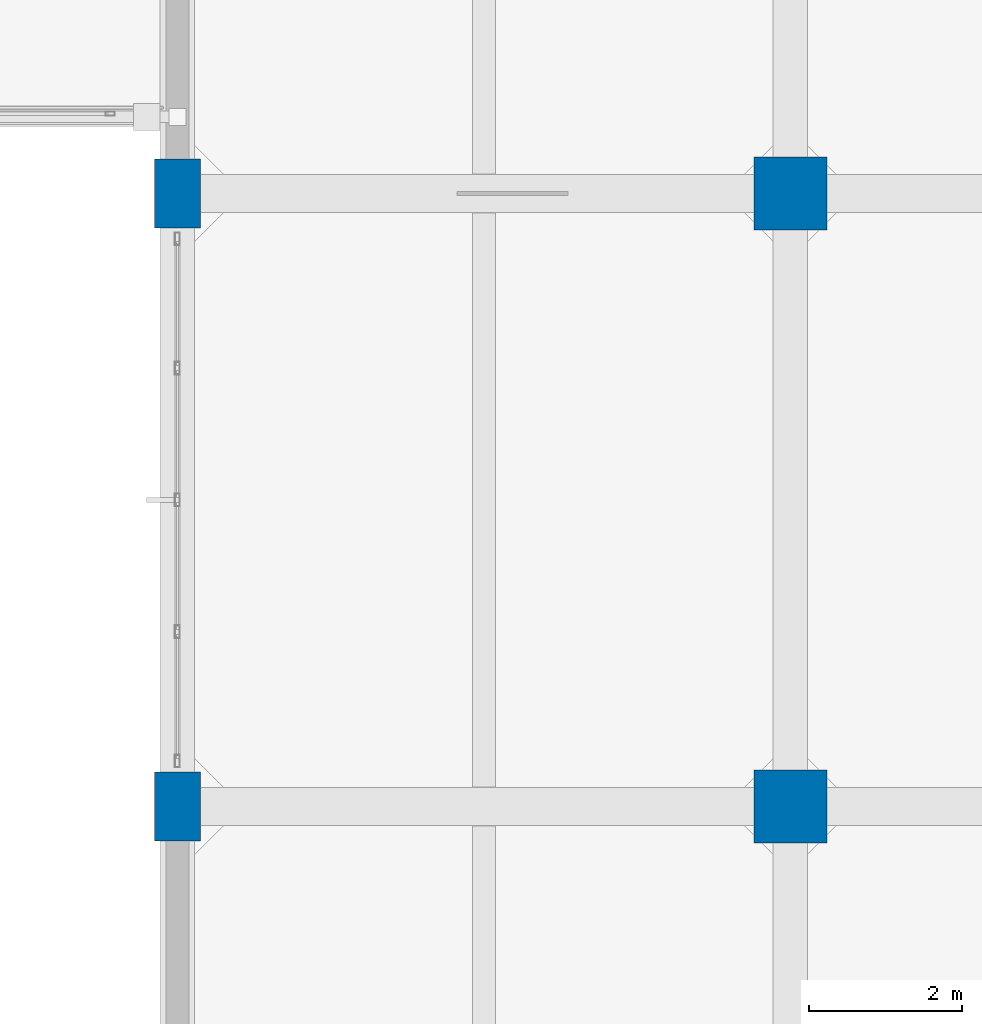
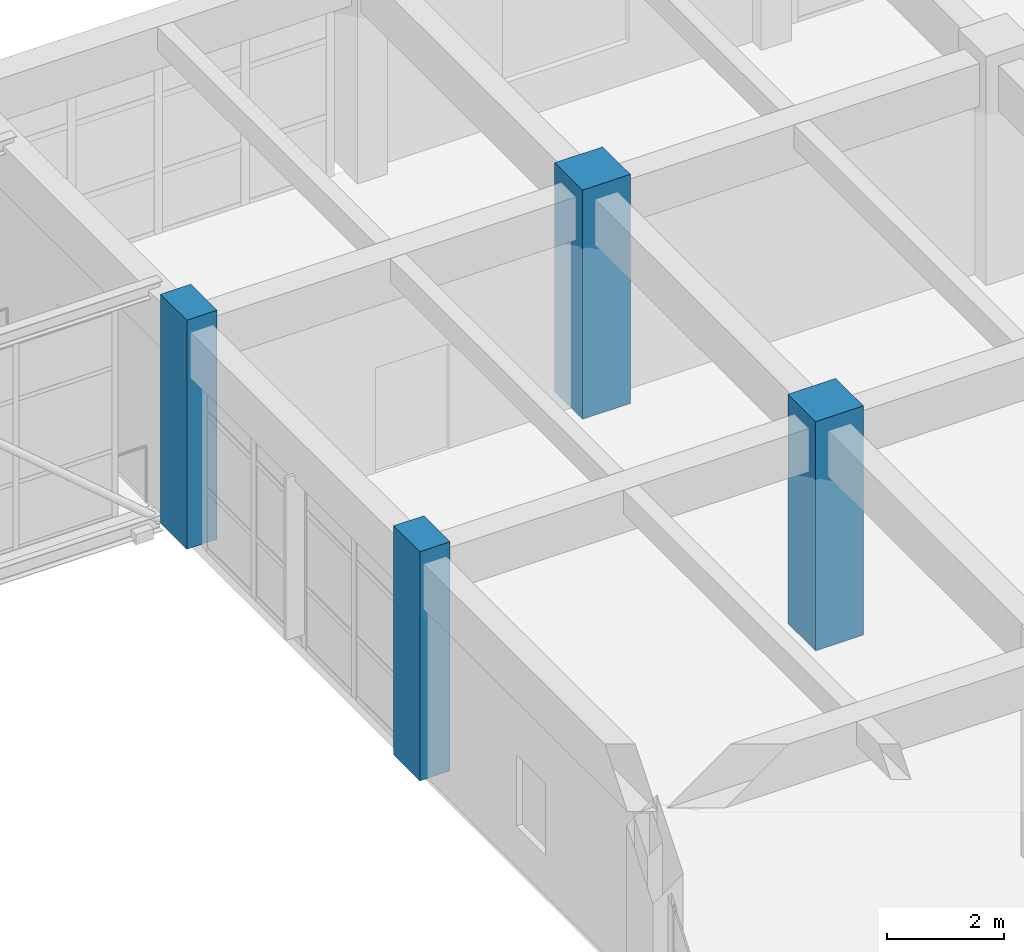
# One storey, part 8 of 248: 4 columns.
"""IFC4 building model written with IfcOpenShell, lengths in metres."""

from ifc_helpers import new_model, si_unit, direction, frame, origin, origin_2d, place, context, subcontext, project, spatial, rectangle, extrude, material, material_profile, profile_set, type_object, element, save


model = new_model("IFC4")

# Units and contexts
model_context = context("Model", 3, precision=1e-05, world=origin(), true_north=direction((0.0, 1.0)))
body_context = subcontext(model_context, "Body", "Model", "MODEL_VIEW")
ifc_project = project(units=[si_unit("LENGTHUNIT", "METRE"), si_unit("AREAUNIT", "SQUARE_METRE"), si_unit("VOLUMEUNIT", "CUBIC_METRE"), si_unit("PLANEANGLEUNIT", "RADIAN"), si_unit("MASSUNIT", "GRAM", prefix="KILO")], contexts=[model_context])

# Site, building, storey
site_placement = place(None, origin())
site = spatial("IfcSite", under=ifc_project, at=site_placement, CompositionType="ELEMENT")
building_placement = place(site_placement, origin())
building = spatial("IfcBuilding", under=site, at=building_placement, Name="Canggui Botanical Conservatory", CompositionType="ELEMENT")
storey_placement = place(building_placement, frame((0.0, 0.0, 5.39990234375)))
storey = spatial("IfcBuildingStorey", under=building, at=storey_placement, Name="L02", CompositionType="ELEMENT", Elevation=5.39990234375)

# Columns
ifc_material = material(Name="Concrete C50", Category="concrete")
ifc_material_profile_1 = material_profile(ifc_material, rectangle(XDim=0.949951171875, YDim=0.949951171875, at=origin_2d()), Name="RC 950x950")
ifc_profile_set_1 = profile_set([ifc_material_profile_1], Name="Concrete C50")
column_type_1 = type_object("IfcColumnType", Name="COL-KZ04", PredefinedType="COLUMN", material=ifc_profile_set_1)
for number, where, z_axis, x_axis, name in (
    (1, (138.0, 66.0, 0.0), (0.0, 0.0, 1.0), (1.0, 0.0, 0.0), "Tower RC Column L02 (138,66)"),
    (2, (138.0, 74.0, 0.0), (0.0, 0.0, 1.0), (1.0, 0.0, 0.0), "Tower RC Column L02 (138,74)"),
):
    element("IfcColumn", number, at=place(storey_placement, frame(where, z_axis=z_axis, x_axis=x_axis)), inside=storey, type_object=column_type_1, Name=name, PredefinedType="COLUMN", context=body_context, shape_type="SweptSolid", body=[
        extrude(rectangle(XDim=0.949951171875, YDim=0.949951171875, at=origin_2d()), origin(), (0.0, 0.0, 1.0), 4.800048828125),
    ])
ifc_material_profile_2 = material_profile(ifc_material, rectangle(XDim=0.60009765625, YDim=0.89990234375, at=origin_2d()), Name="RC 600x900")
ifc_profile_set_2 = profile_set([ifc_material_profile_2], Name="Concrete C50")
column_type_2 = type_object("IfcColumnType", Name="COL-KZ17", PredefinedType="COLUMN", material=ifc_profile_set_2)
for number, where, z_axis, x_axis, name in (
    (3, (130.0, 66.0, 0.0), (0.0, 0.0, 1.0), (1.0, 0.0, 0.0), "Tower RC Column L02 (130,66)"),
    (4, (130.0, 74.0, 0.0), (0.0, 0.0, 1.0), (1.0, 0.0, 0.0), "Tower RC Column L02 (130,74)"),
):
    element("IfcColumn", number, at=place(storey_placement, frame(where, z_axis=z_axis, x_axis=x_axis)), inside=storey, type_object=column_type_2, Name=name, PredefinedType="COLUMN", context=body_context, shape_type="SweptSolid", body=[
        extrude(rectangle(XDim=0.60009765625, YDim=0.89990234375, at=origin_2d()), origin(), (0.0, 0.0, 1.0), 4.800048828125),
    ])

save(model, "model.ifc")
